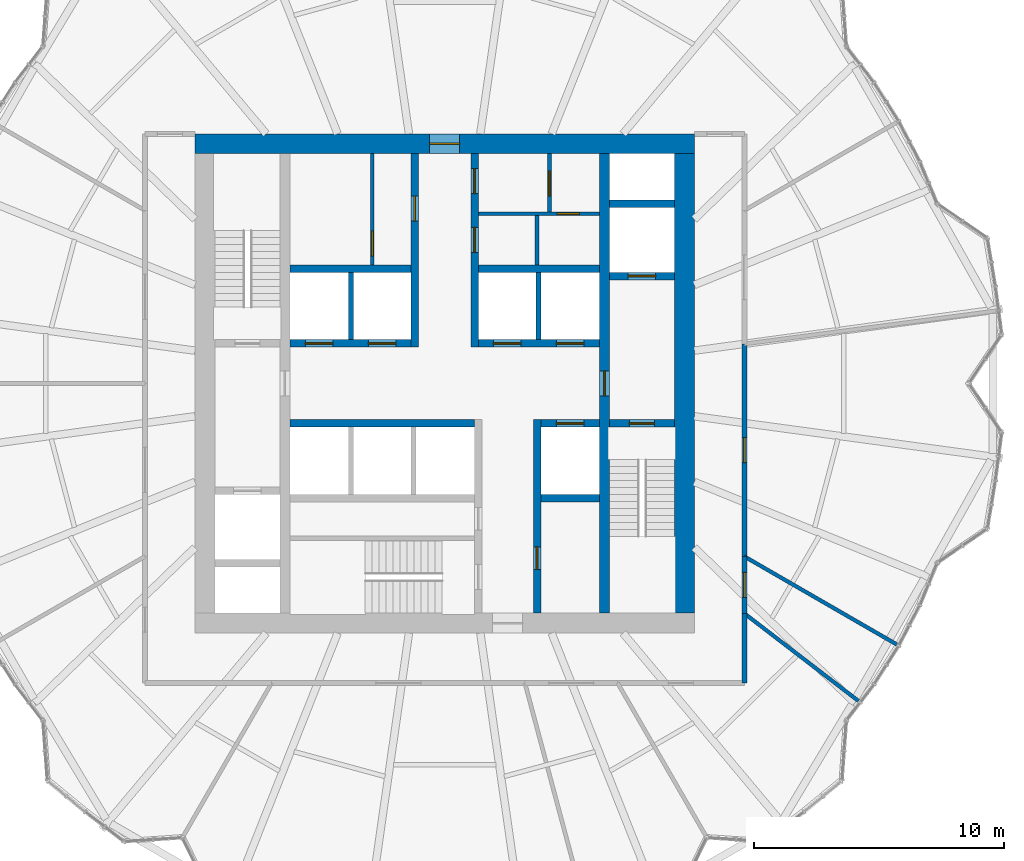
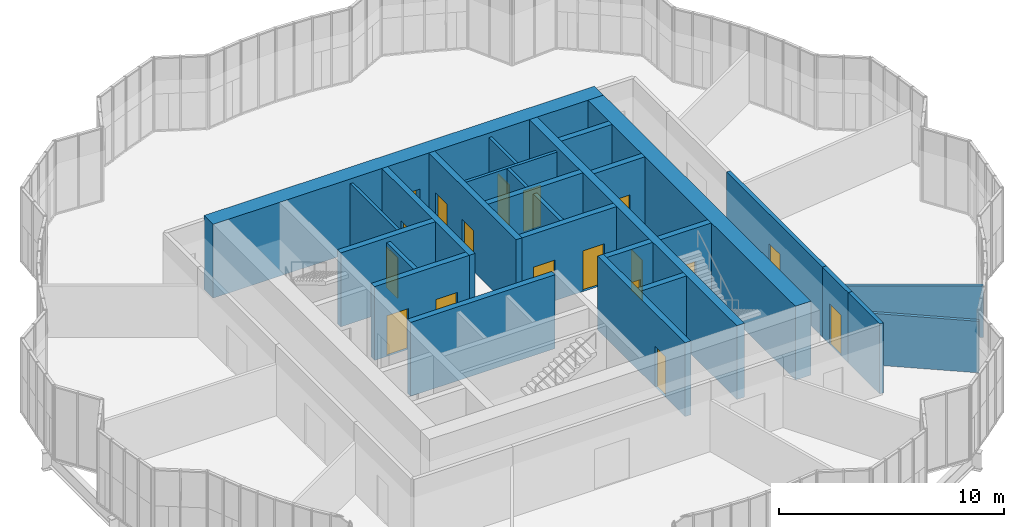
# One storey, part 20 of 22: 27 walls, 18 doors, 18 openings.
"""IFC4 building model written with IfcOpenShell, lengths in metres."""

from ifc_helpers import new_model, si_unit, direction, frame, frame_2d, origin, place, context, subcontext, project, spatial, rectangle, extrude, material, layer, layer_set, type_object, element, fill, save


model = new_model("IFC4")

# Units and contexts
model_context = context("Model", 3, precision=1e-05, world=origin(), true_north=direction((0.0, 1.0)))
body_context = subcontext(model_context, "Body", "Model", "MODEL_VIEW")
ifc_project = project(units=[si_unit("LENGTHUNIT", "METRE"), si_unit("AREAUNIT", "SQUARE_METRE"), si_unit("VOLUMEUNIT", "CUBIC_METRE"), si_unit("PLANEANGLEUNIT", "RADIAN"), si_unit("MASSUNIT", "GRAM", prefix="KILO")], contexts=[model_context])

# Site, building, storey
site_placement = place(None, origin())
site = spatial("IfcSite", under=ifc_project, at=site_placement, CompositionType="ELEMENT")
building_placement = place(site_placement, origin())
building = spatial("IfcBuilding", under=site, at=building_placement, Name="Golbaran Civic Tower", CompositionType="ELEMENT")
storey_placement = place(building_placement, frame((0.0, 0.0, 29.0)))
storey = spatial("IfcBuildingStorey", under=building, at=storey_placement, Name="L06", CompositionType="ELEMENT", Elevation=29.0)

# Wall, opening, door
ifc_material_1 = material(Name="Concrete block", Category="concrete")
ifc_layer_1 = layer(ifc_material_1, 0.14990234375, Name="Concrete block")
ifc_layer_set_1 = layer_set([ifc_layer_1], Name="Concrete block")
wall_type_1 = type_object("IfcWallType", Name="BLOCKWORK PARTITION 150", PredefinedType="PARTITIONING", material=ifc_layer_set_1)
wall_1_placement = place(storey_placement, frame((1.35009765625, 6.800048828125, 0.0), z_axis=(0.0, 0.0, 1.0), x_axis=(1.0, 0.0, 0.0)))
wall_1 = element("IfcWall", 1, at=wall_1_placement, inside=storey, type_object=wall_type_1, Name="Toilet block partition TN1 L06", PredefinedType="PARTITIONING", context=body_context, shape_type="SweptSolid", body=[
    extrude(rectangle(XDim=4.849853515625, YDim=0.14990234375, at=frame_2d((2.4248046875, 0.0))), origin(), (0.0, 0.0, 1.0), 3.75),
])
opening_1_placement = place(wall_1_placement, frame((3.14990234375, 0.0, 0.0)))
opening_1 = element("IfcOpeningElement", 2, at=opening_1_placement, cuts=wall_1, Name="Opening L06.CLN", PredefinedType="OPENING", context=body_context, shape_type="SweptSolid", body=[
    extrude(rectangle(XDim=0.89990234375, YDim=2.199951171875, at=frame_2d((0.449951171875, 1.10009765625))), frame((0.0, 0.0849609375, 0.0), z_axis=(0.0, -1.0, 0.0), x_axis=(1.0, 0.0, 0.0)), (0.0, 0.0, 1.0), 0.169921875),
])
ifc_material_2 = material(Name="Timber door set in steel frame", Category="steel")
door_type_1 = type_object("IfcDoorType", Name="RISER DOOR 900x2200", OperationType="SINGLE_SWING_LEFT", PredefinedType="DOOR", material=ifc_material_2)
door_1_placement = place(opening_1_placement, origin())
door_1 = element("IfcDoor", 3, at=door_1_placement, inside=storey, type_object=door_type_1, Name="Sanitary Supplies Store door", OperationType="SINGLE_SWING_RIGHT", OverallHeight=2.199951171875, OverallWidth=0.89990234375, PredefinedType="DOOR", context=body_context, shape_type="SweptSolid", body=[
    extrude(rectangle(XDim=0.89990234375, YDim=2.199951171875, at=frame_2d((0.449951171875, 1.10009765625))), frame((0.0, 0.02490234375, 0.0), z_axis=(0.0, -1.0, 0.0), x_axis=(1.0, 0.0, 0.0)), (0.0, 0.0, 1.0), 0.050048828125),
])
fill(opening_1, door_1)

# Wall
wall_2_placement = place(storey_placement, frame((3.699951171875, 4.75, 0.0), z_axis=(0.0, 0.0, 1.0), x_axis=(0.0, 1.0, 0.0)))
element("IfcWall", 4, at=wall_2_placement, inside=storey, type_object=wall_type_1, Name="Toilet block partition TN2 L06", PredefinedType="PARTITIONING", context=body_context, shape_type="SweptSolid", body=[
    extrude(rectangle(XDim=1.97509765625, YDim=0.14990234375, at=frame_2d((0.987548828125, 0.0))), origin(), (0.0, 0.0, 1.0), 3.75),
])

# Wall, opening, door
ifc_material_3 = material(Name="Concrete C50/60", Category="concrete")
ifc_layer_2 = layer(ifc_material_3, 0.39990234375, Name="Concrete C50/60")
ifc_layer_set_2 = layer_set([ifc_layer_2], Name="Concrete C50/60")
wall_type_2 = type_object("IfcWallType", Name="CORE WALL CONCRETE 400", PredefinedType="SOLIDWALL", material=ifc_layer_set_2)
wall_3_placement = place(storey_placement, frame((6.39990234375, 9.199951171875, 0.0), z_axis=(0.0, 0.0, 1.0), x_axis=(0.0, -1.0, 0.0)))
wall_3 = element("IfcWall", 5, at=wall_3_placement, inside=storey, type_object=wall_type_2, Name="Core wall IE L06", PredefinedType="SOLIDWALL", context=body_context, shape_type="SweptSolid", body=[
    extrude(rectangle(XDim=18.39990234375, YDim=0.39990234375, at=frame_2d((9.199951171875, 0.0))), origin(), (0.0, 0.0, 1.0), 4.0),
])
opening_2_placement = place(wall_3_placement, frame((8.699951171875, 0.0, 0.0)))
opening_2 = element("IfcOpeningElement", 6, at=opening_2_placement, cuts=wall_3, Name="Opening L06.FL2", PredefinedType="OPENING", context=body_context, shape_type="SweptSolid", body=[
    extrude(rectangle(XDim=1.0, YDim=2.199951171875, at=frame_2d((0.5, 1.10009765625))), frame((0.0, 0.2099609375, 0.0), z_axis=(0.0, -1.0, 0.0), x_axis=(1.0, 0.0, 0.0)), (0.0, 0.0, 1.0), 0.419921875),
])
door_type_2 = type_object("IfcDoorType", Name="STAIR DOOR 1000x2200", OperationType="SINGLE_SWING_LEFT", PredefinedType="DOOR", material=ifc_material_2)
door_2_placement = place(opening_2_placement, origin())
door_2 = element("IfcDoor", 7, at=door_2_placement, inside=storey, type_object=door_type_2, Name="Fire-fighting lobby FL2 door", OperationType="SINGLE_SWING_RIGHT", OverallHeight=2.199951171875, OverallWidth=1.0, PredefinedType="DOOR", context=body_context, shape_type="SweptSolid", body=[
    extrude(rectangle(XDim=1.0, YDim=2.199951171875, at=frame_2d((0.5, 1.10009765625))), frame((0.0, 0.02490234375, 0.0), z_axis=(0.0, -1.0, 0.0), x_axis=(1.0, 0.0, 0.0)), (0.0, 0.0, 1.0), 0.050048828125),
])
fill(opening_2, door_2)

ifc_layer_3 = layer(ifc_material_3, 0.800048828125, Name="Concrete C50/60")
ifc_layer_set_3 = layer_set([ifc_layer_3], Name="Concrete C50/60")
wall_type_3 = type_object("IfcWallType", Name="CORE WALL CONCRETE 800", PredefinedType="SOLIDWALL", material=ifc_layer_set_3)
wall_4_placement = place(storey_placement, frame((-10.0, 9.60009765625, 0.0), z_axis=(0.0, 0.0, 1.0), x_axis=(1.0, 0.0, 0.0)))
wall_4 = element("IfcWall", 8, at=wall_4_placement, inside=storey, type_object=wall_type_3, Name="Core wall CN L06", PredefinedType="SOLIDWALL", context=body_context, shape_type="SweptSolid", body=[
    extrude(rectangle(XDim=20.0, YDim=0.800048828125, at=frame_2d((10.0, 0.0))), origin(), (0.0, 0.0, 1.0), 4.0),
])
opening_3_placement = place(wall_4_placement, frame((9.39990234375, 0.0, 0.0)))
opening_3 = element("IfcOpeningElement", 9, at=opening_3_placement, cuts=wall_4, Name="Opening L06.CN", PredefinedType="OPENING", context=body_context, shape_type="SweptSolid", body=[
    extrude(rectangle(XDim=1.199951171875, YDim=2.199951171875, at=frame_2d((0.60009765625, 1.10009765625))), frame((0.0, 0.409912109375, 0.0), z_axis=(0.0, -1.0, 0.0), x_axis=(1.0, 0.0, 0.0)), (0.0, 0.0, 1.0), 0.820068359375),
])
door_type_3 = type_object("IfcDoorType", Name="CORE DOOR 1200x2200", OperationType="DOUBLE_DOOR_SINGLE_SWING", PredefinedType="DOOR", material=ifc_material_2)
door_3_placement = place(opening_3_placement, origin())
door_3 = element("IfcDoor", 10, at=door_3_placement, inside=storey, type_object=door_type_3, Name="Core door north", OperationType="DOUBLE_DOOR_SINGLE_SWING", OverallHeight=2.199951171875, OverallWidth=1.199951171875, PredefinedType="DOOR", context=body_context, shape_type="SweptSolid", body=[
    extrude(rectangle(XDim=1.199951171875, YDim=2.199951171875, at=frame_2d((0.60009765625, 1.10009765625))), frame((0.0, 0.02490234375, 0.0), z_axis=(0.0, -1.0, 0.0), x_axis=(1.0, 0.0, 0.0)), (0.0, 0.0, 1.0), 0.050048828125),
])
fill(opening_3, door_3)

# Wall
wall_5_placement = place(storey_placement, frame((9.60009765625, -9.199951171875, 0.0), z_axis=(0.0, 0.0, 1.0), x_axis=(0.0, 1.0, 0.0)))
element("IfcWall", 11, at=wall_5_placement, inside=storey, type_object=wall_type_3, Name="Core wall CE L06", PredefinedType="SOLIDWALL", context=body_context, shape_type="SweptSolid", body=[
    extrude(rectangle(XDim=18.39990234375, YDim=0.800048828125, at=frame_2d((9.199951171875, 0.0))), origin(), (0.0, 0.0, 1.0), 4.0),
])

# Wall, opening, door
ifc_material_4 = material(Name="Gypsum board on steel studs, fire-rated", Category="steel")
ifc_layer_4 = layer(ifc_material_4, 0.199951171875, Name="Gypsum board on steel studs, fire-rated")
ifc_layer_set_4 = layer_set([ifc_layer_4], Name="Gypsum board on steel studs, fire-rated")
wall_type_4 = type_object("IfcWallType", Name="CORRIDOR WALL 200", PredefinedType="PARTITIONING", material=ifc_layer_set_4)
wall_6_placement = place(storey_placement, frame((12.0, -6.92822265625, 0.0), z_axis=(0.0, 0.0, 1.0), x_axis=(0.0, 1.0, 0.0)))
wall_6 = element("IfcWall", 12, at=wall_6_placement, inside=storey, type_object=wall_type_4, Name="Corridor wall L06", PredefinedType="PARTITIONING", context=body_context, shape_type="SweptSolid", body=[
    extrude(rectangle(XDim=8.508056640625, YDim=0.199951171875, at=frame_2d((4.25390625, 0.0))), origin(), (0.0, 0.0, 1.0), 3.800048828125),
])
opening_4_placement = place(wall_6_placement, frame((3.75390625, 0.0, 0.0)))
opening_4 = element("IfcOpeningElement", 13, at=opening_4_placement, cuts=wall_6, Name="Opening L06.02", PredefinedType="OPENING", context=body_context, shape_type="SweptSolid", body=[
    extrude(rectangle(XDim=1.0, YDim=2.199951171875, at=frame_2d((0.5, 1.10009765625))), frame((0.0, 0.10986328125, 0.0), z_axis=(0.0, -1.0, 0.0), x_axis=(1.0, 0.0, 0.0)), (0.0, 0.0, 1.0), 0.219970703125),
])
door_type_4 = type_object("IfcDoorType", Name="OFFICE DOOR 1000x2200", OperationType="SINGLE_SWING_LEFT", PredefinedType="DOOR", material=ifc_material_2)
door_4_placement = place(opening_4_placement, origin())
door_4 = element("IfcDoor", 14, at=door_4_placement, inside=storey, type_object=door_type_4, Name="Interview Room door L06", OperationType="SINGLE_SWING_LEFT", OverallHeight=2.199951171875, OverallWidth=1.0, PredefinedType="DOOR", context=body_context, shape_type="SweptSolid", body=[
    extrude(rectangle(XDim=1.0, YDim=2.199951171875, at=frame_2d((0.5, 1.10009765625))), frame((0.0, 0.02490234375, 0.0), z_axis=(0.0, -1.0, 0.0), x_axis=(1.0, 0.0, 0.0)), (0.0, 0.0, 1.0), 0.050048828125),
])
fill(opening_4, door_4)

# Wall
wall_7_placement = place(storey_placement, frame((12.0, -12.0, 0.0), z_axis=(0.0, 0.0, 1.0), x_axis=(0.0, 1.0, 0.0)))
element("IfcWall", 15, at=wall_7_placement, inside=storey, type_object=wall_type_4, Name="Corridor wall L06", PredefinedType="PARTITIONING", context=body_context, shape_type="SweptSolid", body=[
    extrude(rectangle(XDim=2.7919921875, YDim=0.199951171875, at=frame_2d((1.39599609375, 0.0))), origin(), (0.0, 0.0, 1.0), 3.800048828125),
])

# Wall, opening, door
wall_8_placement = place(storey_placement, frame((12.0, -9.2080078125, 0.0), z_axis=(0.0, 0.0, 1.0), x_axis=(0.0, 1.0, 0.0)))
wall_8 = element("IfcWall", 16, at=wall_8_placement, inside=storey, type_object=wall_type_4, Name="Corridor wall L06", PredefinedType="PARTITIONING", context=body_context, shape_type="SweptSolid", body=[
    extrude(rectangle(XDim=2.27978515625, YDim=0.199951171875, at=frame_2d((1.139892578125, 0.0))), origin(), (0.0, 0.0, 1.0), 3.800048828125),
])
opening_5_placement = place(wall_8_placement, frame((0.639892578125, 0.0, 0.0)))
opening_5 = element("IfcOpeningElement", 17, at=opening_5_placement, cuts=wall_8, Name="Opening L06.10", PredefinedType="OPENING", context=body_context, shape_type="SweptSolid", body=[
    extrude(rectangle(XDim=1.0, YDim=2.199951171875, at=frame_2d((0.5, 1.10009765625))), frame((0.0, 0.10986328125, 0.0), z_axis=(0.0, -1.0, 0.0), x_axis=(1.0, 0.0, 0.0)), (0.0, 0.0, 1.0), 0.219970703125),
])
door_5_placement = place(opening_5_placement, origin())
door_5 = element("IfcDoor", 18, at=door_5_placement, inside=storey, type_object=door_type_4, Name="Store door L06", OperationType="SINGLE_SWING_LEFT", OverallHeight=2.199951171875, OverallWidth=1.0, PredefinedType="DOOR", context=body_context, shape_type="SweptSolid", body=[
    extrude(rectangle(XDim=1.0, YDim=2.199951171875, at=frame_2d((0.5, 1.10009765625))), frame((0.0, 0.02490234375, 0.0), z_axis=(0.0, -1.0, 0.0), x_axis=(1.0, 0.0, 0.0)), (0.0, 0.0, 1.0), 0.050048828125),
])
fill(opening_5, door_5)

# Walls
ifc_layer_5 = layer(ifc_material_1, 0.199951171875, Name="Concrete block")
ifc_layer_set_5 = layer_set([ifc_layer_5], Name="Concrete block")
wall_type_5 = type_object("IfcWallType", Name="LIFT SEPARATOR WALL 200", PredefinedType="SOLIDWALL", material=ifc_layer_set_5)
for number, where, z_axis, x_axis, name in (
    (19, (-3.75, 1.75, 0.0), (0.0, 0.0, 1.0), (0.0, 1.0, 0.0), "Core partition SNW L06"),
    (20, (3.75, 1.75, 0.0), (0.0, 0.0, 1.0), (0.0, 1.0, 0.0), "Core partition SNE L06"),
):
    element("IfcWall", number, at=place(storey_placement, frame(where, z_axis=z_axis, x_axis=x_axis)), inside=storey, type_object=wall_type_5, Name=name, PredefinedType="SOLIDWALL", context=body_context, shape_type="SweptSolid", body=[
        extrude(rectangle(XDim=2.699951171875, YDim=0.199951171875, at=frame_2d((1.35009765625, 0.0))), origin(), (0.0, 0.0, 1.0), 3.75),
    ])
ifc_material_5 = material(Name="Gypsum board on steel studs", Category="steel")
ifc_layer_6 = layer(ifc_material_5, 0.14990234375, Name="Gypsum board on steel studs")
ifc_layer_set_6 = layer_set([ifc_layer_6], Name="Gypsum board on steel studs")
wall_type_6 = type_object("IfcWallType", Name="OFFICE PARTITION 150", PredefinedType="PARTITIONING", material=ifc_layer_set_6)
wall_9_placement = place(storey_placement, frame((12.0, -6.92822265625, 0.0), z_axis=(0.0, 0.0, 1.0), x_axis=(0.86602254688, -0.500004948271, 0.0)))
element("IfcWall", 21, at=wall_9_placement, inside=storey, type_object=wall_type_6, Name="Partition 330 L06", PredefinedType="PARTITIONING", context=body_context, shape_type="SweptSolid", body=[
    extrude(rectangle(XDim=7.05712890625, YDim=0.14990234375, at=frame_2d((3.528564453125, 0.0))), origin(), (0.0, 0.0, 1.0), 2.7900390625),
])
wall_10_placement = place(storey_placement, frame((12.0, -9.2080078125, 0.0), z_axis=(0.0, 0.0, 1.0), x_axis=(0.793353539316, -0.608761169634, 0.0)))
element("IfcWall", 22, at=wall_10_placement, inside=storey, type_object=wall_type_6, Name="Partition 322.5 L06", PredefinedType="PARTITIONING", context=body_context, shape_type="SweptSolid", body=[
    extrude(rectangle(XDim=5.767822265625, YDim=0.14990234375, at=frame_2d((2.8837890625, 0.0))), origin(), (0.0, 0.0, 1.0), 2.7900390625),
])

# Wall, openings, doors
ifc_layer_7 = layer(ifc_material_3, 0.300048828125, Name="Concrete C50/60")
ifc_layer_set_7 = layer_set([ifc_layer_7], Name="Concrete C50/60")
wall_type_7 = type_object("IfcWallType", Name="SHAFT WALL CONCRETE 300", PredefinedType="SOLIDWALL", material=ifc_layer_set_7)
wall_11_placement = place(storey_placement, frame((-6.199951171875, 1.60009765625, 0.0), z_axis=(0.0, 0.0, 1.0), x_axis=(1.0, 0.0, 0.0)))
wall_11 = element("IfcWall", 23, at=wall_11_placement, inside=storey, type_object=wall_type_7, Name="Core wall FNW L06", PredefinedType="SOLIDWALL", context=body_context, shape_type="SweptSolid", body=[
    extrude(rectangle(XDim=4.849853515625, YDim=0.300048828125, at=frame_2d((2.4248046875, 0.0))), origin(), (0.0, 0.0, 1.0), 4.0),
])
opening_6_placement = place(wall_11_placement, frame((0.625, 0.0, 0.0)))
opening_6 = element("IfcOpeningElement", 24, at=opening_6_placement, cuts=wall_11, Name="Opening L06.LD-Z1L", PredefinedType="OPENING", context=body_context, shape_type="SweptSolid", body=[
    extrude(rectangle(XDim=1.10009765625, YDim=2.199951171875, at=frame_2d((0.550048828125, 1.10009765625))), frame((0.0, 0.159912109375, 0.0), z_axis=(0.0, -1.0, 0.0), x_axis=(1.0, 0.0, 0.0)), (0.0, 0.0, 1.0), 0.320068359375),
])
opening_7_placement = place(wall_11_placement, frame((3.14990234375, 0.0, 0.0)))
opening_7 = element("IfcOpeningElement", 25, at=opening_7_placement, cuts=wall_11, Name="Opening L06.LD-Z2L", PredefinedType="OPENING", context=body_context, shape_type="SweptSolid", body=[
    extrude(rectangle(XDim=1.10009765625, YDim=2.199951171875, at=frame_2d((0.550048828125, 1.10009765625))), frame((0.0, 0.159912109375, 0.0), z_axis=(0.0, -1.0, 0.0), x_axis=(1.0, 0.0, 0.0)), (0.0, 0.0, 1.0), 0.320068359375),
])
ifc_material_6 = material(Name="Stainless steel", Category="steel")
door_type_5 = type_object("IfcDoorType", Name="LIFT LANDING DOOR 1100x2200", OperationType="SLIDING_TO_LEFT", PredefinedType="DOOR", material=ifc_material_6)
door_6_placement = place(opening_6_placement, origin())
door_6 = element("IfcDoor", 26, at=door_6_placement, inside=storey, type_object=door_type_5, Name="Lift landing door Z1L", OperationType="SLIDING_TO_LEFT", OverallHeight=2.199951171875, OverallWidth=1.10009765625, PredefinedType="DOOR", context=body_context, shape_type="SweptSolid", body=[
    extrude(rectangle(XDim=1.10009765625, YDim=2.199951171875, at=frame_2d((0.550048828125, 1.10009765625))), frame((0.0, 0.02490234375, 0.0), z_axis=(0.0, -1.0, 0.0), x_axis=(1.0, 0.0, 0.0)), (0.0, 0.0, 1.0), 0.050048828125),
])
fill(opening_6, door_6)
door_7_placement = place(opening_7_placement, origin())
door_7 = element("IfcDoor", 27, at=door_7_placement, inside=storey, type_object=door_type_5, Name="Lift landing door Z2L", OperationType="SLIDING_TO_LEFT", OverallHeight=2.199951171875, OverallWidth=1.10009765625, PredefinedType="DOOR", context=body_context, shape_type="SweptSolid", body=[
    extrude(rectangle(XDim=1.10009765625, YDim=2.199951171875, at=frame_2d((0.550048828125, 1.10009765625))), frame((0.0, 0.02490234375, 0.0), z_axis=(0.0, -1.0, 0.0), x_axis=(1.0, 0.0, 0.0)), (0.0, 0.0, 1.0), 0.050048828125),
])
fill(opening_7, door_7)

wall_12_placement = place(storey_placement, frame((1.35009765625, 1.60009765625, 0.0), z_axis=(0.0, 0.0, 1.0), x_axis=(1.0, 0.0, 0.0)))
wall_12 = element("IfcWall", 28, at=wall_12_placement, inside=storey, type_object=wall_type_7, Name="Core wall FNE L06", PredefinedType="SOLIDWALL", context=body_context, shape_type="SweptSolid", body=[
    extrude(rectangle(XDim=4.849853515625, YDim=0.300048828125, at=frame_2d((2.4248046875, 0.0))), origin(), (0.0, 0.0, 1.0), 4.0),
])
opening_8_placement = place(wall_12_placement, frame((0.60009765625, 0.0, 0.0)))
opening_8 = element("IfcOpeningElement", 29, at=opening_8_placement, cuts=wall_12, Name="Opening L06.LD-Z3L", PredefinedType="OPENING", context=body_context, shape_type="SweptSolid", body=[
    extrude(rectangle(XDim=1.10009765625, YDim=2.199951171875, at=frame_2d((0.550048828125, 1.10009765625))), frame((0.0, 0.159912109375, 0.0), z_axis=(0.0, -1.0, 0.0), x_axis=(1.0, 0.0, 0.0)), (0.0, 0.0, 1.0), 0.320068359375),
])
opening_9_placement = place(wall_12_placement, frame((3.125, 0.0, 0.0)))
opening_9 = element("IfcOpeningElement", 30, at=opening_9_placement, cuts=wall_12, Name="Opening L06.LD-Z4L", PredefinedType="OPENING", context=body_context, shape_type="SweptSolid", body=[
    extrude(rectangle(XDim=1.10009765625, YDim=2.199951171875, at=frame_2d((0.550048828125, 1.10009765625))), frame((0.0, 0.159912109375, 0.0), z_axis=(0.0, -1.0, 0.0), x_axis=(1.0, 0.0, 0.0)), (0.0, 0.0, 1.0), 0.320068359375),
])
door_8_placement = place(opening_8_placement, origin())
door_8 = element("IfcDoor", 31, at=door_8_placement, inside=storey, type_object=door_type_5, Name="Lift landing door Z3L", OperationType="SLIDING_TO_LEFT", OverallHeight=2.199951171875, OverallWidth=1.10009765625, PredefinedType="DOOR", context=body_context, shape_type="SweptSolid", body=[
    extrude(rectangle(XDim=1.10009765625, YDim=2.199951171875, at=frame_2d((0.550048828125, 1.10009765625))), frame((0.0, 0.02490234375, 0.0), z_axis=(0.0, -1.0, 0.0), x_axis=(1.0, 0.0, 0.0)), (0.0, 0.0, 1.0), 0.050048828125),
])
fill(opening_8, door_8)
door_9_placement = place(opening_9_placement, origin())
door_9 = element("IfcDoor", 32, at=door_9_placement, inside=storey, type_object=door_type_5, Name="Lift landing door Z4L", OperationType="SLIDING_TO_LEFT", OverallHeight=2.199951171875, OverallWidth=1.10009765625, PredefinedType="DOOR", context=body_context, shape_type="SweptSolid", body=[
    extrude(rectangle(XDim=1.10009765625, YDim=2.199951171875, at=frame_2d((0.550048828125, 1.10009765625))), frame((0.0, 0.02490234375, 0.0), z_axis=(0.0, -1.0, 0.0), x_axis=(1.0, 0.0, 0.0)), (0.0, 0.0, 1.0), 0.050048828125),
])
fill(opening_9, door_9)

# Walls
for number, where, z_axis, x_axis, name in (
    (33, (-6.199951171875, 4.60009765625, 0.0), (0.0, 0.0, 1.0), (1.0, 0.0, 0.0), "Core wall BNW L06"),
    (34, (1.35009765625, 4.60009765625, 0.0), (0.0, 0.0, 1.0), (1.0, 0.0, 0.0), "Core wall BNE L06"),
):
    element("IfcWall", number, at=place(storey_placement, frame(where, z_axis=z_axis, x_axis=x_axis)), inside=storey, type_object=wall_type_7, Name=name, PredefinedType="SOLIDWALL", context=body_context, shape_type="SweptSolid", body=[
        extrude(rectangle(XDim=4.849853515625, YDim=0.300048828125, at=frame_2d((2.4248046875, 0.0))), origin(), (0.0, 0.0, 1.0), 4.0),
    ])

# Wall, opening, door
wall_13_placement = place(storey_placement, frame((-1.199951171875, 1.449951171875, 0.0), z_axis=(0.0, 0.0, 1.0), x_axis=(0.0, 1.0, 0.0)))
wall_13 = element("IfcWall", 35, at=wall_13_placement, inside=storey, type_object=wall_type_7, Name="Core wall PNW L06", PredefinedType="SOLIDWALL", context=body_context, shape_type="SweptSolid", body=[
    extrude(rectangle(XDim=7.75, YDim=0.300048828125, at=frame_2d((3.875, 0.0))), origin(), (0.0, 0.0, 1.0), 4.0),
])
opening_10_placement = place(wall_13_placement, frame((5.050048828125, 0.0, 0.0)))
opening_10 = element("IfcOpeningElement", 36, at=opening_10_placement, cuts=wall_13, Name="Opening L06.WCM", PredefinedType="OPENING", context=body_context, shape_type="SweptSolid", body=[
    extrude(rectangle(XDim=1.0, YDim=2.199951171875, at=frame_2d((0.5, 1.10009765625))), frame((0.0, 0.159912109375, 0.0), z_axis=(0.0, -1.0, 0.0), x_axis=(1.0, 0.0, 0.0)), (0.0, 0.0, 1.0), 0.320068359375),
])
door_type_6 = type_object("IfcDoorType", Name="TOILET DOOR 1000x2200", OperationType="SINGLE_SWING_LEFT", PredefinedType="DOOR", material=ifc_material_2)
door_10_placement = place(opening_10_placement, origin())
door_10 = element("IfcDoor", 37, at=door_10_placement, inside=storey, type_object=door_type_6, Name="North-west toilet block door", OperationType="SINGLE_SWING_RIGHT", OverallHeight=2.199951171875, OverallWidth=1.0, PredefinedType="DOOR", context=body_context, shape_type="SweptSolid", body=[
    extrude(rectangle(XDim=1.0, YDim=2.199951171875, at=frame_2d((0.5, 1.10009765625))), frame((0.0, 0.02490234375, 0.0), z_axis=(0.0, -1.0, 0.0), x_axis=(1.0, 0.0, 0.0)), (0.0, 0.0, 1.0), 0.050048828125),
])
fill(opening_10, door_10)

# Wall, openings, doors
wall_14_placement = place(storey_placement, frame((1.199951171875, 1.449951171875, 0.0), z_axis=(0.0, 0.0, 1.0), x_axis=(0.0, 1.0, 0.0)))
wall_14 = element("IfcWall", 38, at=wall_14_placement, inside=storey, type_object=wall_type_7, Name="Core wall PNE L06", PredefinedType="SOLIDWALL", context=body_context, shape_type="SweptSolid", body=[
    extrude(rectangle(XDim=7.75, YDim=0.300048828125, at=frame_2d((3.875, 0.0))), origin(), (0.0, 0.0, 1.0), 4.0),
])
opening_11_placement = place(wall_14_placement, frame((3.800048828125, 0.0, 0.0)))
opening_11 = element("IfcOpeningElement", 39, at=opening_11_placement, cuts=wall_14, Name="Opening L06.WCA", PredefinedType="OPENING", context=body_context, shape_type="SweptSolid", body=[
    extrude(rectangle(XDim=1.0, YDim=2.199951171875, at=frame_2d((0.5, 1.10009765625))), frame((0.0, 0.159912109375, 0.0), z_axis=(0.0, -1.0, 0.0), x_axis=(1.0, 0.0, 0.0)), (0.0, 0.0, 1.0), 0.320068359375),
])
opening_12_placement = place(wall_14_placement, frame((6.14990234375, 0.0, 0.0)))
opening_12 = element("IfcOpeningElement", 40, at=opening_12_placement, cuts=wall_14, Name="Opening L06.WCF", PredefinedType="OPENING", context=body_context, shape_type="SweptSolid", body=[
    extrude(rectangle(XDim=1.0, YDim=2.199951171875, at=frame_2d((0.5, 1.10009765625))), frame((0.0, 0.159912109375, 0.0), z_axis=(0.0, -1.0, 0.0), x_axis=(1.0, 0.0, 0.0)), (0.0, 0.0, 1.0), 0.320068359375),
])
door_11_placement = place(opening_11_placement, origin())
door_11 = element("IfcDoor", 41, at=door_11_placement, inside=storey, type_object=door_type_6, Name="Accessible WC door", OperationType="SINGLE_SWING_RIGHT", OverallHeight=2.199951171875, OverallWidth=1.0, PredefinedType="DOOR", context=body_context, shape_type="SweptSolid", body=[
    extrude(rectangle(XDim=1.0, YDim=2.199951171875, at=frame_2d((0.5, 1.10009765625))), frame((0.0, 0.02490234375, 0.0), z_axis=(0.0, -1.0, 0.0), x_axis=(1.0, 0.0, 0.0)), (0.0, 0.0, 1.0), 0.050048828125),
])
fill(opening_11, door_11)
door_12_placement = place(opening_12_placement, origin())
door_12 = element("IfcDoor", 42, at=door_12_placement, inside=storey, type_object=door_type_6, Name="North-east toilet block door", OperationType="SINGLE_SWING_RIGHT", OverallHeight=2.199951171875, OverallWidth=1.0, PredefinedType="DOOR", context=body_context, shape_type="SweptSolid", body=[
    extrude(rectangle(XDim=1.0, YDim=2.199951171875, at=frame_2d((0.5, 1.10009765625))), frame((0.0, 0.02490234375, 0.0), z_axis=(0.0, -1.0, 0.0), x_axis=(1.0, 0.0, 0.0)), (0.0, 0.0, 1.0), 0.050048828125),
])
fill(opening_12, door_12)

# Wall
wall_15_placement = place(storey_placement, frame((-6.199951171875, -1.60009765625, 0.0), z_axis=(0.0, 0.0, 1.0), x_axis=(1.0, 0.0, 0.0)))
element("IfcWall", 43, at=wall_15_placement, inside=storey, type_object=wall_type_7, Name="Core wall FSW L06", PredefinedType="SOLIDWALL", context=body_context, shape_type="SweptSolid", body=[
    extrude(rectangle(XDim=7.39990234375, YDim=0.300048828125, at=frame_2d((3.699951171875, 0.0))), origin(), (0.0, 0.0, 1.0), 4.0),
])

# Wall, opening, door
wall_16_placement = place(storey_placement, frame((3.85009765625, -1.60009765625, 0.0), z_axis=(0.0, 0.0, 1.0), x_axis=(1.0, 0.0, 0.0)))
wall_16 = element("IfcWall", 44, at=wall_16_placement, inside=storey, type_object=wall_type_7, Name="Core wall FSE L06", PredefinedType="SOLIDWALL", context=body_context, shape_type="SweptSolid", body=[
    extrude(rectangle(XDim=2.349853515625, YDim=0.300048828125, at=frame_2d((1.1748046875, 0.0))), origin(), (0.0, 0.0, 1.0), 4.0),
])
opening_13_placement = place(wall_16_placement, frame((0.625, 0.0, 0.0)))
opening_13 = element("IfcOpeningElement", 45, at=opening_13_placement, cuts=wall_16, Name="Opening L06.LD-V1", PredefinedType="OPENING", context=body_context, shape_type="SweptSolid", body=[
    extrude(rectangle(XDim=1.10009765625, YDim=2.199951171875, at=frame_2d((0.550048828125, 1.10009765625))), frame((0.0, 0.159912109375, 0.0), z_axis=(0.0, -1.0, 0.0), x_axis=(1.0, 0.0, 0.0)), (0.0, 0.0, 1.0), 0.320068359375),
])
door_13_placement = place(opening_13_placement, origin())
door_13 = element("IfcDoor", 46, at=door_13_placement, inside=storey, type_object=door_type_5, Name="Lift landing door V1", OperationType="SLIDING_TO_LEFT", OverallHeight=2.199951171875, OverallWidth=1.10009765625, PredefinedType="DOOR", context=body_context, shape_type="SweptSolid", body=[
    extrude(rectangle(XDim=1.10009765625, YDim=2.199951171875, at=frame_2d((0.550048828125, 1.10009765625))), frame((0.0, 0.02490234375, 0.0), z_axis=(0.0, -1.0, 0.0), x_axis=(1.0, 0.0, 0.0)), (0.0, 0.0, 1.0), 0.050048828125),
])
fill(opening_13, door_13)

# Wall
wall_17_placement = place(storey_placement, frame((3.85009765625, -4.60009765625, 0.0), z_axis=(0.0, 0.0, 1.0), x_axis=(1.0, 0.0, 0.0)))
element("IfcWall", 47, at=wall_17_placement, inside=storey, type_object=wall_type_7, Name="Core wall BSE L06", PredefinedType="SOLIDWALL", context=body_context, shape_type="SweptSolid", body=[
    extrude(rectangle(XDim=2.349853515625, YDim=0.300048828125, at=frame_2d((1.1748046875, 0.0))), origin(), (0.0, 0.0, 1.0), 4.0),
])

# Wall, opening, door
wall_18_placement = place(storey_placement, frame((3.699951171875, -1.449951171875, 0.0), z_axis=(0.0, 0.0, 1.0), x_axis=(0.0, -1.0, 0.0)))
wall_18 = element("IfcWall", 48, at=wall_18_placement, inside=storey, type_object=wall_type_7, Name="Core wall PSE L06", PredefinedType="SOLIDWALL", context=body_context, shape_type="SweptSolid", body=[
    extrude(rectangle(XDim=7.75, YDim=0.300048828125, at=frame_2d((3.875, 0.0))), origin(), (0.0, 0.0, 1.0), 4.0),
])
opening_14_placement = place(wall_18_placement, frame((5.10009765625, 0.0, 0.0)))
opening_14 = element("IfcOpeningElement", 49, at=opening_14_placement, cuts=wall_18, Name="Opening L06.RM", PredefinedType="OPENING", context=body_context, shape_type="SweptSolid", body=[
    extrude(rectangle(XDim=0.89990234375, YDim=2.199951171875, at=frame_2d((0.449951171875, 1.10009765625))), frame((0.0, 0.159912109375, 0.0), z_axis=(0.0, -1.0, 0.0), x_axis=(1.0, 0.0, 0.0)), (0.0, 0.0, 1.0), 0.320068359375),
])
door_14_placement = place(opening_14_placement, origin())
door_14 = element("IfcDoor", 50, at=door_14_placement, inside=storey, type_object=door_type_1, Name="Mechanical riser door", OperationType="SINGLE_SWING_RIGHT", OverallHeight=2.199951171875, OverallWidth=0.89990234375, PredefinedType="DOOR", context=body_context, shape_type="SweptSolid", body=[
    extrude(rectangle(XDim=0.89990234375, YDim=2.199951171875, at=frame_2d((0.449951171875, 1.10009765625))), frame((0.0, 0.02490234375, 0.0), z_axis=(0.0, -1.0, 0.0), x_axis=(1.0, 0.0, 0.0)), (0.0, 0.0, 1.0), 0.050048828125),
])
fill(opening_14, door_14)

wall_19_placement = place(storey_placement, frame((6.60009765625, -1.60009765625, 0.0), z_axis=(0.0, 0.0, 1.0), x_axis=(1.0, 0.0, 0.0)))
wall_19 = element("IfcWall", 51, at=wall_19_placement, inside=storey, type_object=wall_type_7, Name="Core wall XE1 L06", PredefinedType="SOLIDWALL", context=body_context, shape_type="SweptSolid", body=[
    extrude(rectangle(XDim=2.599853515625, YDim=0.300048828125, at=frame_2d((1.2998046875, 0.0))), origin(), (0.0, 0.0, 1.0), 4.0),
])
opening_15_placement = place(wall_19_placement, frame((0.800048828125, 0.0, 0.0)))
opening_15 = element("IfcOpeningElement", 52, at=opening_15_placement, cuts=wall_19, Name="Opening L06.S2", PredefinedType="OPENING", context=body_context, shape_type="SweptSolid", body=[
    extrude(rectangle(XDim=1.0, YDim=2.199951171875, at=frame_2d((0.5, 1.10009765625))), frame((0.0, 0.159912109375, 0.0), z_axis=(0.0, -1.0, 0.0), x_axis=(1.0, 0.0, 0.0)), (0.0, 0.0, 1.0), 0.320068359375),
])
door_15_placement = place(opening_15_placement, origin())
door_15 = element("IfcDoor", 53, at=door_15_placement, inside=storey, type_object=door_type_2, Name="Stair S2 door", OperationType="SINGLE_SWING_LEFT", OverallHeight=2.199951171875, OverallWidth=1.0, PredefinedType="DOOR", context=body_context, shape_type="SweptSolid", body=[
    extrude(rectangle(XDim=1.0, YDim=2.199951171875, at=frame_2d((0.5, 1.10009765625))), frame((0.0, 0.02490234375, 0.0), z_axis=(0.0, -1.0, 0.0), x_axis=(1.0, 0.0, 0.0)), (0.0, 0.0, 1.0), 0.050048828125),
])
fill(opening_15, door_15)

wall_20_placement = place(storey_placement, frame((6.60009765625, 4.300048828125, 0.0), z_axis=(0.0, 0.0, 1.0), x_axis=(1.0, 0.0, 0.0)))
wall_20 = element("IfcWall", 54, at=wall_20_placement, inside=storey, type_object=wall_type_7, Name="Core wall XE2 L06", PredefinedType="SOLIDWALL", context=body_context, shape_type="SweptSolid", body=[
    extrude(rectangle(XDim=2.599853515625, YDim=0.300048828125, at=frame_2d((1.2998046875, 0.0))), origin(), (0.0, 0.0, 1.0), 4.0),
])
opening_16_placement = place(wall_20_placement, frame((0.75, 0.0, 0.0)))
opening_16 = element("IfcOpeningElement", 55, at=opening_16_placement, cuts=wall_20, Name="Opening L06.LD-F2", PredefinedType="OPENING", context=body_context, shape_type="SweptSolid", body=[
    extrude(rectangle(XDim=1.10009765625, YDim=2.199951171875, at=frame_2d((0.550048828125, 1.10009765625))), frame((0.0, 0.159912109375, 0.0), z_axis=(0.0, -1.0, 0.0), x_axis=(1.0, 0.0, 0.0)), (0.0, 0.0, 1.0), 0.320068359375),
])
door_16_placement = place(opening_16_placement, origin())
door_16 = element("IfcDoor", 56, at=door_16_placement, inside=storey, type_object=door_type_5, Name="Lift landing door F2", OperationType="SLIDING_TO_LEFT", OverallHeight=2.199951171875, OverallWidth=1.10009765625, PredefinedType="DOOR", context=body_context, shape_type="SweptSolid", body=[
    extrude(rectangle(XDim=1.10009765625, YDim=2.199951171875, at=frame_2d((0.550048828125, 1.10009765625))), frame((0.0, 0.02490234375, 0.0), z_axis=(0.0, -1.0, 0.0), x_axis=(1.0, 0.0, 0.0)), (0.0, 0.0, 1.0), 0.050048828125),
])
fill(opening_16, door_16)

# Wall
wall_21_placement = place(storey_placement, frame((6.60009765625, 7.199951171875, 0.0), z_axis=(0.0, 0.0, 1.0), x_axis=(1.0, 0.0, 0.0)))
element("IfcWall", 57, at=wall_21_placement, inside=storey, type_object=wall_type_7, Name="Core wall XE3 L06", PredefinedType="SOLIDWALL", context=body_context, shape_type="SweptSolid", body=[
    extrude(rectangle(XDim=2.599853515625, YDim=0.300048828125, at=frame_2d((1.2998046875, 0.0))), origin(), (0.0, 0.0, 1.0), 4.0),
])

# Wall, opening, door
ifc_material_7 = material(Name="Moisture-resistant gypsum board on steel studs", Category="steel")
ifc_layer_8 = layer(ifc_material_7, 0.14990234375, Name="Moisture-resistant gypsum board on steel studs")
ifc_layer_set_8 = layer_set([ifc_layer_8], Name="Moisture-resistant gypsum board on steel studs")
wall_type_8 = type_object("IfcWallType", Name="TOILET BLOCK PARTITION 150", PredefinedType="PARTITIONING", material=ifc_layer_set_8)
wall_22_placement = place(storey_placement, frame((4.199951171875, 6.875, 0.0), z_axis=(0.0, 0.0, 1.0), x_axis=(0.0, 1.0, 0.0)))
wall_22 = element("IfcWall", 58, at=wall_22_placement, inside=storey, type_object=wall_type_8, Name="Toilet block partition TN3 L06", PredefinedType="PARTITIONING", context=body_context, shape_type="SweptSolid", body=[
    extrude(rectangle(XDim=2.324951171875, YDim=0.14990234375, at=frame_2d((1.16259765625, 0.0))), origin(), (0.0, 0.0, 1.0), 3.75),
])
opening_17_placement = place(wall_22_placement, frame((0.625, 0.0, 0.0)))
opening_17 = element("IfcOpeningElement", 59, at=opening_17_placement, cuts=wall_22, Name="Opening L06.01", PredefinedType="OPENING", context=body_context, shape_type="SweptSolid", body=[
    extrude(rectangle(XDim=1.0, YDim=2.199951171875, at=frame_2d((0.5, 1.10009765625))), frame((0.0, 0.0849609375, 0.0), z_axis=(0.0, -1.0, 0.0), x_axis=(1.0, 0.0, 0.0)), (0.0, 0.0, 1.0), 0.169921875),
])
door_17_placement = place(opening_17_placement, origin())
door_17 = element("IfcDoor", 60, at=door_17_placement, inside=storey, type_object=door_type_6, Name="Parents' room door", OperationType="SINGLE_SWING_LEFT", OverallHeight=2.199951171875, OverallWidth=1.0, PredefinedType="DOOR", context=body_context, shape_type="SweptSolid", body=[
    extrude(rectangle(XDim=1.0, YDim=2.199951171875, at=frame_2d((0.5, 1.10009765625))), frame((0.0, 0.02490234375, 0.0), z_axis=(0.0, -1.0, 0.0), x_axis=(1.0, 0.0, 0.0)), (0.0, 0.0, 1.0), 0.050048828125),
])
fill(opening_17, door_17)

wall_23_placement = place(storey_placement, frame((-2.89990234375, 4.75, 0.0), z_axis=(0.0, 0.0, 1.0), x_axis=(0.0, 1.0, 0.0)))
wall_23 = element("IfcWall", 61, at=wall_23_placement, inside=storey, type_object=wall_type_8, Name="Toilet block partition MWL L06", PredefinedType="PARTITIONING", context=body_context, shape_type="SweptSolid", body=[
    extrude(rectangle(XDim=4.449951171875, YDim=0.14990234375, at=frame_2d((2.22509765625, 0.0))), origin(), (0.0, 0.0, 1.0), 3.75),
])
opening_18_placement = place(wall_23_placement, frame((0.35009765625, 0.0, 0.0)))
opening_18 = element("IfcOpeningElement", 62, at=opening_18_placement, cuts=wall_23, Name="Opening L06.11", PredefinedType="OPENING", context=body_context, shape_type="SweptSolid", body=[
    extrude(rectangle(XDim=1.0, YDim=2.199951171875, at=frame_2d((0.5, 1.10009765625))), frame((0.0, 0.0849609375, 0.0), z_axis=(0.0, -1.0, 0.0), x_axis=(1.0, 0.0, 0.0)), (0.0, 0.0, 1.0), 0.169921875),
])
door_18_placement = place(opening_18_placement, origin())
door_18 = element("IfcDoor", 63, at=door_18_placement, inside=storey, type_object=door_type_6, Name="Male WC door", OperationType="SINGLE_SWING_LEFT", OverallHeight=2.199951171875, OverallWidth=1.0, PredefinedType="DOOR", context=body_context, shape_type="SweptSolid", body=[
    extrude(rectangle(XDim=1.0, YDim=2.199951171875, at=frame_2d((0.5, 1.10009765625))), frame((0.0, 0.02490234375, 0.0), z_axis=(0.0, -1.0, 0.0), x_axis=(1.0, 0.0, 0.0)), (0.0, 0.0, 1.0), 0.050048828125),
])
fill(opening_18, door_18)

save(model, "model.ifc")
